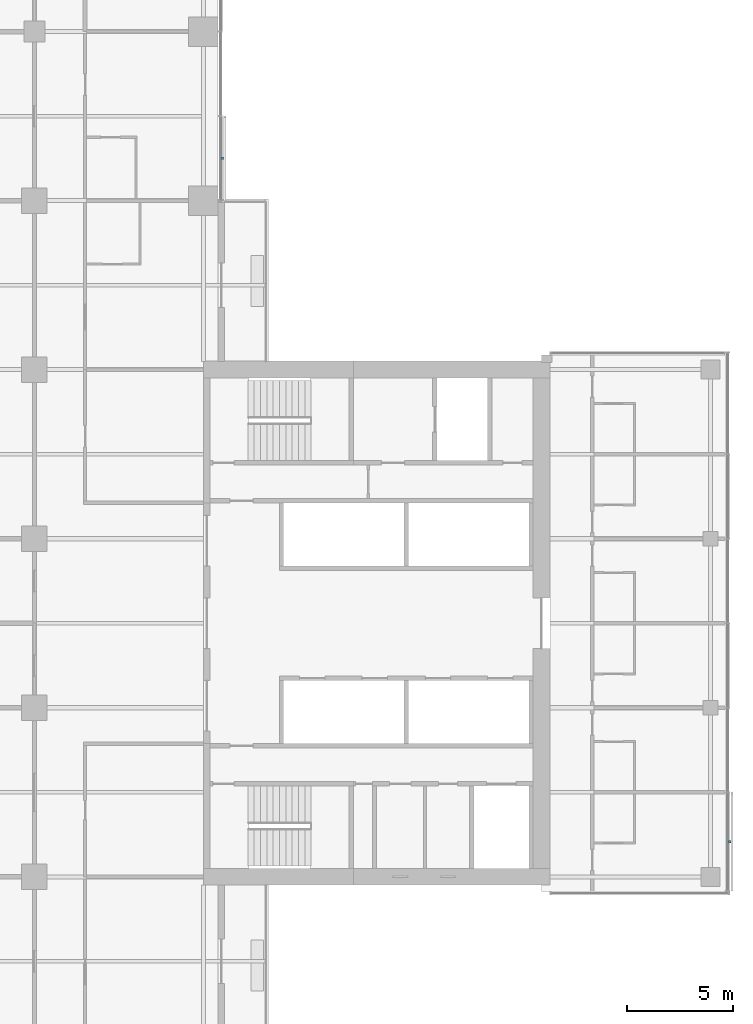
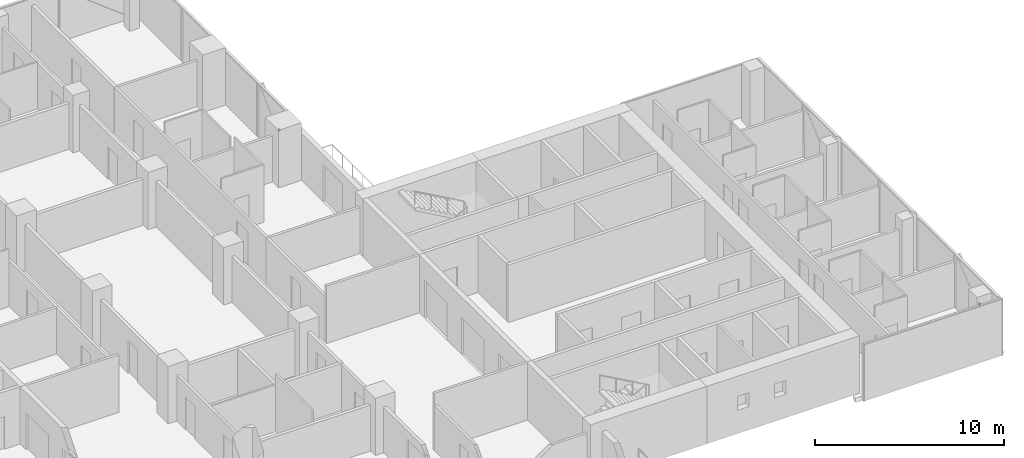
# One storey, part 25 of 27: 2 discrete accessories.
"""IFC4 building model written with IfcOpenShell, lengths in metres."""

from ifc_helpers import new_model, si_unit, direction, frame, origin, origin_2d, place, context, subcontext, project, spatial, rectangle, extrude, material, type_object, element, save


model = new_model("IFC4")

# Units and contexts
model_context = context("Model", 3, precision=1e-05, world=origin(), true_north=direction((0.0, 1.0)))
body_context = subcontext(model_context, "Body", "Model", "MODEL_VIEW")
ifc_project = project(units=[si_unit("LENGTHUNIT", "METRE"), si_unit("AREAUNIT", "SQUARE_METRE"), si_unit("VOLUMEUNIT", "CUBIC_METRE"), si_unit("PLANEANGLEUNIT", "RADIAN"), si_unit("MASSUNIT", "GRAM", prefix="KILO")], contexts=[model_context])

# Site, building, storey
site_placement = place(None, origin())
site = spatial("IfcSite", under=ifc_project, at=site_placement, CompositionType="ELEMENT")
building_placement = place(site_placement, origin())
building = spatial("IfcBuilding", under=site, at=building_placement, Name="Crosswind Convention Tower", CompositionType="ELEMENT")
storey_placement = place(building_placement, frame((0.0, 0.0, 86.800048828125)))
storey = spatial("IfcBuildingStorey", under=building, at=storey_placement, Name="L16", CompositionType="ELEMENT", Elevation=86.800048828125)

# Discrete accessories
ifc_material = material(Name="Stainless steel", Category="steel")
discrete_accessory_type = type_object("IfcDiscreteAccessoryType", Name="BAGUETTE BRACKET BK2", PredefinedType="BRACKET", material=ifc_material)
for number, where, z_axis, x_axis, name in (
    (1, (161.907958984375, 89.666259765625, 1.477294921875), (0.0, 0.0, 1.0), (0.0, 1.0, 0.0), "BK2 baguette bracket"),
    (2, (137.907958984375, 122.0, 1.477294921875), (0.0, 0.0, 1.0), (0.0, 1.0, 0.0), "BK2 baguette bracket"),
):
    element("IfcDiscreteAccessory", number, at=place(storey_placement, frame(where, z_axis=z_axis, x_axis=x_axis)), inside=storey, type_object=discrete_accessory_type, Name=name, PredefinedType="BRACKET", context=body_context, shape_type="SweptSolid", body=[
        extrude(rectangle(XDim=0.1201171875, YDim=0.10009765625, at=origin_2d()), origin(), (0.0, 0.0, 1.0), 0.1201171875),
    ])

save(model, "model.ifc")
